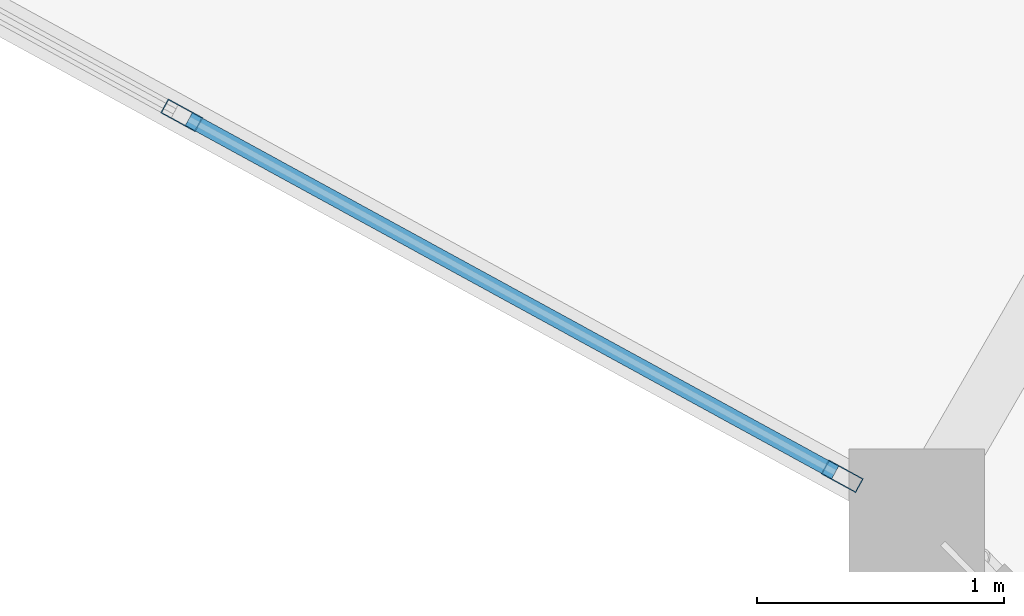
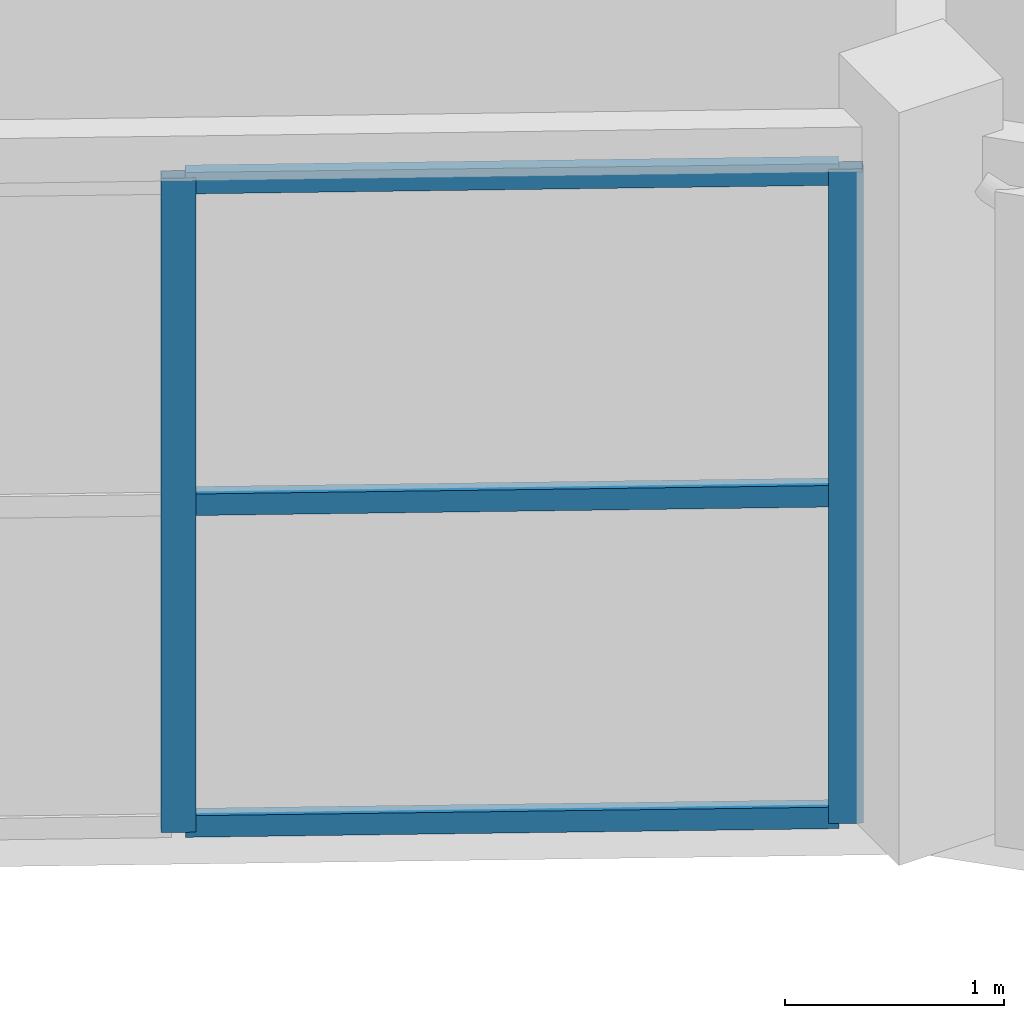
# One storey, part 93 of 157: 5 members, 1 element without a shape of its own.
"""IFC4 building model written with IfcOpenShell, lengths in metres."""

from ifc_helpers import new_model, si_unit, direction, frame, origin, origin_2d, place, context, subcontext, project, spatial, hollow_rectangle, extrude, material, material_profile, profile_set, type_object, element, aggregate, save


model = new_model("IFC4")

# Units and contexts
model_context = context("Model", 3, precision=1e-05, world=origin(), true_north=direction((0.0, 1.0)))
body_context = subcontext(model_context, "Body", "Model", "MODEL_VIEW")
ifc_project = project(units=[si_unit("LENGTHUNIT", "METRE"), si_unit("AREAUNIT", "SQUARE_METRE"), si_unit("VOLUMEUNIT", "CUBIC_METRE"), si_unit("PLANEANGLEUNIT", "RADIAN"), si_unit("MASSUNIT", "GRAM", prefix="KILO")], contexts=[model_context])

# Site, building, storey
site_placement = place(None, origin())
site = spatial("IfcSite", under=ifc_project, at=site_placement, CompositionType="ELEMENT")
building_placement = place(site_placement, origin())
building = spatial("IfcBuilding", under=site, at=building_placement, Name="Karori Crest Natural Sciences Institute", CompositionType="ELEMENT")
storey_placement = place(building_placement, frame((0.0, 0.0, 13.300048828125)))
storey = spatial("IfcBuildingStorey", under=building, at=storey_placement, Name="L03", CompositionType="ELEMENT", Elevation=13.300048828125)

# Curtain wall, members
ifc_material = material(Name="Anodised architectural aluminium 6063-T6", Category="aluminium")
curtain_wall_type = type_object("IfcCurtainWallType", Name="CWT-15", PredefinedType="NOTDEFINED", material=ifc_material)
curtain_wall_placement = place(storey_placement, origin())
curtain_wall = element("IfcCurtainWall", 1, at=curtain_wall_placement, inside=storey, type_object=curtain_wall_type, Name="Curtain wall CW-0107", PredefinedType="NOTDEFINED")
ifc_material_profile_1 = material_profile(ifc_material, hollow_rectangle(XDim=0.06494140625, YDim=0.159912109375, WallThickness=0.00390625, at=origin_2d()), Name="CWM160x65x4")
ifc_profile_set_1 = profile_set([ifc_material_profile_1], Name="Anodised architectural aluminium 6063-T6")
member_type_1 = type_object("IfcMemberType", Name="CWM-01", PredefinedType="MULLION", material=ifc_profile_set_1)
member_1_placement = place(storey_placement, frame((78.29833984375, 77.950927734375, 0.0), z_axis=(0.0, 0.0, 1.0), x_axis=(-0.479631017431, -0.877470277057, 0.0)))
member_1 = element("IfcMember", 2, at=member_1_placement, type_object=member_type_1, Name="CW-0107 mullion 1", PredefinedType="MULLION", context=body_context, shape_type="SweptSolid", body=[
    extrude(hollow_rectangle(XDim=0.06494140625, YDim=0.159912109375, WallThickness=0.00390625, at=origin_2d()), origin(), (0.0, 0.0, 1.0), 3.64990234375),
])
member_2_placement = place(storey_placement, frame((75.6201171875, 79.414794921875, 0.0), z_axis=(0.0, 0.0, 1.0), x_axis=(-0.479631017431, -0.877470277057, 0.0)))
member_2 = element("IfcMember", 3, at=member_2_placement, type_object=member_type_1, Name="CW-0107 mullion 2", PredefinedType="MULLION", context=body_context, shape_type="SweptSolid", body=[
    extrude(hollow_rectangle(XDim=0.06494140625, YDim=0.159912109375, WallThickness=0.00390625, at=origin_2d()), origin(), (0.0, 0.0, 1.0), 3.64990234375),
])
ifc_material_profile_2 = material_profile(ifc_material, hollow_rectangle(XDim=0.06005859375, YDim=0.1201171875, WallThickness=0.00390625, at=origin_2d()), Name="CWT120x60x4")
ifc_profile_set_2 = profile_set([ifc_material_profile_2], Name="Anodised architectural aluminium 6063-T6")
member_type_2 = type_object("IfcMemberType", Name="CWT-TR1", PredefinedType="USERDEFINED", material=ifc_profile_set_2)
member_3_placement = place(storey_placement, frame((78.269775390625, 77.966552734375, 0.030029296875), z_axis=(-0.877448541585, 0.479670779672, 0.0), x_axis=(-0.479670779672, -0.877448541585, 0.0)))
member_3 = element("IfcMember", 4, at=member_3_placement, type_object=member_type_2, Name="CW-0107 transom 1.1", ObjectType="TRANSOM", PredefinedType="USERDEFINED", context=body_context, shape_type="SweptSolid", body=[
    extrude(hollow_rectangle(XDim=0.06005859375, YDim=0.1201171875, WallThickness=0.00390625, at=origin_2d()), origin(), (0.0, 0.0, 1.0), 2.987060546875),
])
member_4_placement = place(storey_placement, frame((78.269775390625, 77.966552734375, 1.824951171875), z_axis=(-0.877448541585, 0.479670779672, 0.0), x_axis=(-0.479670779672, -0.877448541585, 0.0)))
member_4 = element("IfcMember", 5, at=member_4_placement, type_object=member_type_2, Name="CW-0107 transom 1.2", ObjectType="TRANSOM", PredefinedType="USERDEFINED", context=body_context, shape_type="SweptSolid", body=[
    extrude(hollow_rectangle(XDim=0.06005859375, YDim=0.1201171875, WallThickness=0.00390625, at=origin_2d()), origin(), (0.0, 0.0, 1.0), 2.987060546875),
])
member_5_placement = place(storey_placement, frame((78.269775390625, 77.966552734375, 3.619873046875), z_axis=(-0.877448541585, 0.479670779672, 0.0), x_axis=(-0.479670779672, -0.877448541585, 0.0)))
member_5 = element("IfcMember", 6, at=member_5_placement, type_object=member_type_2, Name="CW-0107 transom 1.3", ObjectType="TRANSOM", PredefinedType="USERDEFINED", context=body_context, shape_type="SweptSolid", body=[
    extrude(hollow_rectangle(XDim=0.06005859375, YDim=0.1201171875, WallThickness=0.00390625, at=origin_2d()), origin(), (0.0, 0.0, 1.0), 2.987060546875),
])
aggregate(curtain_wall, [member_1, member_2, member_3, member_4, member_5])

save(model, "model.ifc")
